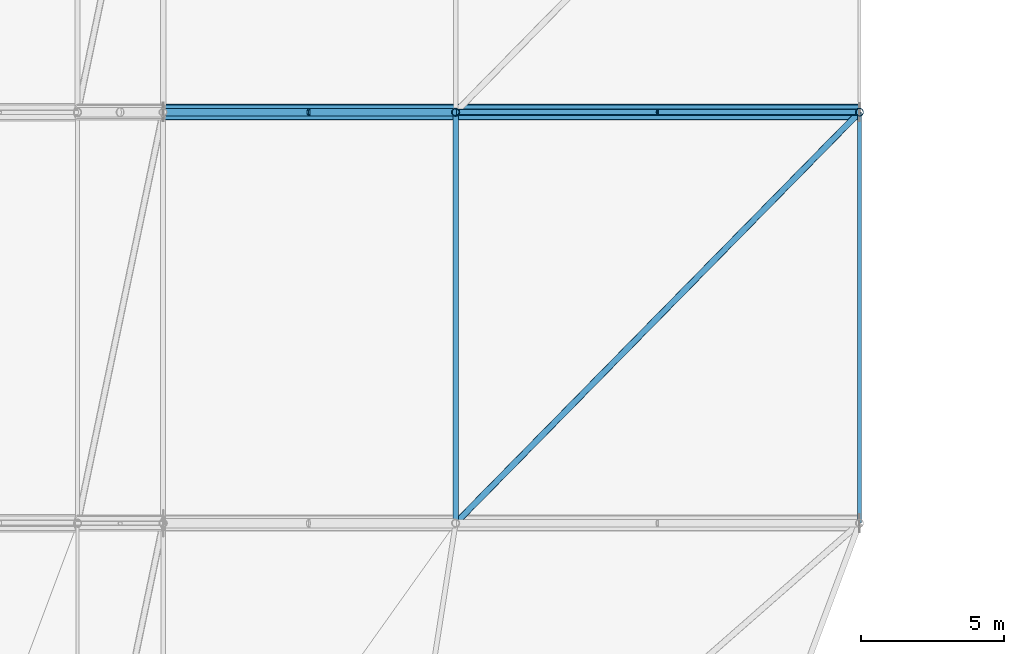
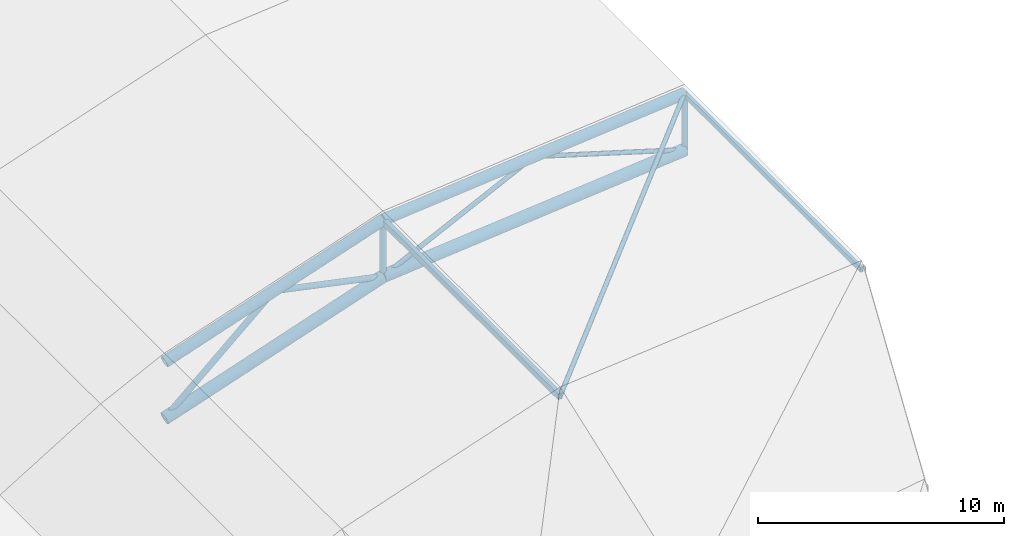
# One storey, part 8 of 36: 13 members.
"""IFC4 building model written with IfcOpenShell, lengths in metres."""

from ifc_helpers import new_model, si_unit, direction, frame, origin, origin_2d, place, context, subcontext, project, spatial, hollow_rectangle, hollow_circle, extrude, material, material_profile, profile_set, type_object, element, save


model = new_model("IFC4")

# Units and contexts
model_context = context("Model", 3, precision=1e-05, world=origin(), true_north=direction((0.0, 1.0)))
body_context = subcontext(model_context, "Body", "Model", "MODEL_VIEW")
ifc_project = project(units=[si_unit("LENGTHUNIT", "METRE"), si_unit("AREAUNIT", "SQUARE_METRE"), si_unit("VOLUMEUNIT", "CUBIC_METRE"), si_unit("PLANEANGLEUNIT", "RADIAN"), si_unit("MASSUNIT", "GRAM", prefix="KILO")], contexts=[model_context])

# Site, building, storey
site_placement = place(None, origin())
site = spatial("IfcSite", under=ifc_project, at=site_placement, CompositionType="ELEMENT")
building_placement = place(site_placement, origin())
building = spatial("IfcBuilding", under=site, at=building_placement, Name="Koshinbarg Plaza Stadium", CompositionType="ELEMENT")
storey_placement = place(building_placement, frame((0.0, 0.0, 34.199951171875)))
storey = spatial("IfcBuildingStorey", under=building, at=storey_placement, Name="RF", CompositionType="ELEMENT", Elevation=34.199951171875)

# Members
ifc_material = material(Name="Steel S355", Category="steel")
ifc_material_profile_1 = material_profile(ifc_material, hollow_circle(Radius=0.279541015625, WallThickness=0.022216796875, at=origin_2d()), Name="CHS 559x22.2")
ifc_profile_set_1 = profile_set([ifc_material_profile_1], Name="Steel S355")
member_type_1 = type_object("IfcMemberType", Name="MB-ARCH-BOT", PredefinedType="CHORD", material=ifc_profile_set_1)
member_1_placement = place(storey_placement, frame((54.60009765625, 68.699951171875, -0.0400390625), z_axis=(0.947427718422, 0.0, 0.319969871027), x_axis=(0.0, 1.0, 0.0)))
element("IfcMember", 1, at=member_1_placement, inside=storey, type_object=member_type_1, Name="Quarter-barrel roof truss bottom chord WRB-04-3", PredefinedType="CHORD", context=body_context, shape_type="SweptSolid", body=[
    extrude(hollow_circle(Radius=0.279541015625, WallThickness=0.022216796875, at=origin_2d()), origin(), (0.0, 0.0, 1.0), 10.81640625),
])
member_2_placement = place(storey_placement, frame((64.847900390625, 68.699951171875, 3.4208984375), z_axis=(0.995642851387, 0.0, 0.093248659413), x_axis=(0.0, 1.0, 0.0)))
element("IfcMember", 2, at=member_2_placement, inside=storey, type_object=member_type_1, Name="Quarter-barrel roof truss bottom chord WRB-04-4", PredefinedType="CHORD", context=body_context, shape_type="SweptSolid", body=[
    extrude(hollow_circle(Radius=0.279541015625, WallThickness=0.022216796875, at=origin_2d()), origin(), (0.0, 0.0, 1.0), 14.214111328125),
])
ifc_material_profile_2 = material_profile(ifc_material, hollow_circle(Radius=0.25390625, WallThickness=0.02001953125, at=origin_2d()), Name="CHS 508x20")
ifc_profile_set_2 = profile_set([ifc_material_profile_2], Name="Steel S355")
member_type_2 = type_object("IfcMemberType", Name="MB-ARCH-TOP", PredefinedType="CHORD", material=ifc_profile_set_2)
member_3_placement = place(storey_placement, frame((54.60009765625, 68.699951171875, 2.760009765625), z_axis=(0.947427718422, 0.0, 0.319969871027), x_axis=(0.0, 1.0, 0.0)))
element("IfcMember", 3, at=member_3_placement, inside=storey, type_object=member_type_2, Name="Quarter-barrel roof truss top chord WRB-04-3", PredefinedType="CHORD", context=body_context, shape_type="SweptSolid", body=[
    extrude(hollow_circle(Radius=0.25390625, WallThickness=0.02001953125, at=origin_2d()), origin(), (0.0, 0.0, 1.0), 10.81640625),
])
member_4_placement = place(storey_placement, frame((64.847900390625, 68.699951171875, 6.220947265625), z_axis=(0.995642851387, 0.0, 0.093248659413), x_axis=(0.0, 1.0, 0.0)))
element("IfcMember", 4, at=member_4_placement, inside=storey, type_object=member_type_2, Name="Quarter-barrel roof truss top chord WRB-04-4", PredefinedType="CHORD", context=body_context, shape_type="SweptSolid", body=[
    extrude(hollow_circle(Radius=0.25390625, WallThickness=0.02001953125, at=origin_2d()), origin(), (0.0, 0.0, 1.0), 14.214111328125),
])
ifc_material_profile_3 = material_profile(ifc_material, hollow_circle(Radius=0.136474609375, WallThickness=0.012451171875, at=origin_2d()), Name="CHS 273x12.5")
ifc_profile_set_3 = profile_set([ifc_material_profile_3], Name="Steel S355")
member_type_3 = type_object("IfcMemberType", Name="MB-BRACE-02", PredefinedType="BRACE", material=ifc_profile_set_3)
member_5_placement = place(storey_placement, frame((54.60009765625, 68.699951171875, -0.0400390625), z_axis=(0.749161416462, 0.0, 0.662387478811), x_axis=(0.0, 1.0, 0.0)))
element("IfcMember", 5, at=member_5_placement, inside=storey, type_object=member_type_3, Name="Quarter-barrel roof truss web diagonal WRB-04-3A", PredefinedType="BRACE", context=body_context, shape_type="SweptSolid", body=[
    extrude(hollow_circle(Radius=0.136474609375, WallThickness=0.012451171875, at=origin_2d()), origin(), (0.0, 0.0, 1.0), 6.839599609375),
])
member_6_placement = place(storey_placement, frame((59.72412109375, 68.699951171875, 4.490478515625), z_axis=(0.978899240734, 0.0, -0.20434352569), x_axis=(0.0, 1.0, 0.0)))
element("IfcMember", 6, at=member_6_placement, inside=storey, type_object=member_type_3, Name="Quarter-barrel roof truss web diagonal WRB-04-3B", PredefinedType="BRACE", context=body_context, shape_type="SweptSolid", body=[
    extrude(hollow_circle(Radius=0.136474609375, WallThickness=0.012451171875, at=origin_2d()), origin(), (0.0, 0.0, 1.0), 5.234130859375),
])
for number, where, z_axis, x_axis, name in (
    (7, (64.847900390625, 68.699951171875, 3.4208984375), (0.0, 0.0, 1.0), (1.0, 0.0, 0.0), "Quarter-barrel roof truss post WRB-04-4"),
    (8, (79.0, 68.699951171875, 4.746337890625), (0.0, 0.0, 1.0), (1.0, 0.0, 0.0), "Quarter-barrel roof truss post WRB-04-5"),
):
    element("IfcMember", number, at=place(storey_placement, frame(where, z_axis=z_axis, x_axis=x_axis)), inside=storey, type_object=member_type_3, Name=name, PredefinedType="BRACE", context=body_context, shape_type="SweptSolid", body=[
        extrude(hollow_circle(Radius=0.136474609375, WallThickness=0.012451171875, at=origin_2d()), origin(), (0.0, 0.0, 1.0), 2.800048828125),
    ])
ifc_material_profile_4 = material_profile(ifc_material, hollow_circle(Radius=0.109619140625, WallThickness=0.010009765625, at=origin_2d()), Name="CHS 219.1x10")
ifc_profile_set_4 = profile_set([ifc_material_profile_4], Name="Steel S355")
member_type_4 = type_object("IfcMemberType", Name="MB-BRACE-03", PredefinedType="BRACE", material=ifc_profile_set_4)
member_7_placement = place(storey_placement, frame((64.847900390625, 68.699951171875, 3.4208984375), z_axis=(0.898224792069, 0.0, 0.439536372685), x_axis=(0.0, 1.0, 0.0)))
element("IfcMember", 9, at=member_7_placement, inside=storey, type_object=member_type_4, Name="Quarter-barrel roof truss web diagonal WRB-04-4A", PredefinedType="BRACE", context=body_context, shape_type="SweptSolid", body=[
    extrude(hollow_circle(Radius=0.109619140625, WallThickness=0.010009765625, at=origin_2d()), origin(), (0.0, 0.0, 1.0), 7.8779296875),
])
member_8_placement = place(storey_placement, frame((71.924072265625, 68.699951171875, 6.883544921875), z_axis=(0.957287355099, 0.0, -0.289138236433), x_axis=(0.0, 1.0, 0.0)))
element("IfcMember", 10, at=member_8_placement, inside=storey, type_object=member_type_4, Name="Quarter-barrel roof truss web diagonal WRB-04-4B", PredefinedType="BRACE", context=body_context, shape_type="SweptSolid", body=[
    extrude(hollow_circle(Radius=0.109619140625, WallThickness=0.010009765625, at=origin_2d()), origin(), (0.0, 0.0, 1.0), 7.3916015625),
])
member_9_placement = place(storey_placement, frame((64.847900390625, 54.300048828125, 6.220947265625), z_axis=(0.699437852357, 0.711684982968, 0.065507066097), x_axis=(-0.713216897677, 0.700943404897, 0.0)))
element("IfcMember", 11, at=member_9_placement, inside=storey, type_object=member_type_4, Name="Roof plan wind brace west bay 3.4", PredefinedType="BRACE", context=body_context, shape_type="SweptSolid", body=[
    extrude(hollow_circle(Radius=0.109619140625, WallThickness=0.010009765625, at=origin_2d()), origin(), (0.0, 0.0, 1.0), 20.233642578125),
])
ifc_material_profile_5 = material_profile(ifc_material, hollow_rectangle(XDim=0.199951171875, YDim=0.300048828125, WallThickness=0.012451171875, at=origin_2d()), Name="RHS 300x200x12.5")
ifc_profile_set_5 = profile_set([ifc_material_profile_5], Name="Steel S355")
member_type_5 = type_object("IfcMemberType", Name="MB-PURL-01", PredefinedType="PURLIN", material=ifc_profile_set_5)
member_10_placement = place(storey_placement, frame((64.847900390625, 54.300048828125, 6.200927734375), z_axis=(0.0, 1.0, 0.0), x_axis=(-1.0, 0.0, 0.0)))
element("IfcMember", 12, at=member_10_placement, inside=storey, type_object=member_type_5, Name="Roof longitudinal purlin west bay 3.4", PredefinedType="PURLIN", context=body_context, shape_type="SweptSolid", body=[
    extrude(hollow_rectangle(XDim=0.199951171875, YDim=0.300048828125, WallThickness=0.012451171875, at=origin_2d()), origin(), (0.0, 0.0, 1.0), 14.39990234375),
])
ifc_material_profile_6 = material_profile(ifc_material, hollow_rectangle(XDim=0.14990234375, YDim=0.25, WallThickness=0.010009765625, at=origin_2d()), Name="RHS 250x150x10")
ifc_profile_set_6 = profile_set([ifc_material_profile_6], Name="Steel S355")
member_type_6 = type_object("IfcMemberType", Name="MB-PURL-02", PredefinedType="PURLIN", material=ifc_profile_set_6)
member_11_placement = place(storey_placement, frame((79.0, 54.300048828125, 7.5263671875), z_axis=(0.0, 1.0, 0.0), x_axis=(-1.0, 0.0, 0.0)))
element("IfcMember", 13, at=member_11_placement, inside=storey, type_object=member_type_6, Name="Roof longitudinal purlin west bay 3.5", PredefinedType="PURLIN", context=body_context, shape_type="SweptSolid", body=[
    extrude(hollow_rectangle(XDim=0.14990234375, YDim=0.25, WallThickness=0.010009765625, at=origin_2d()), origin(), (0.0, 0.0, 1.0), 14.39990234375),
])

save(model, "model.ifc")
